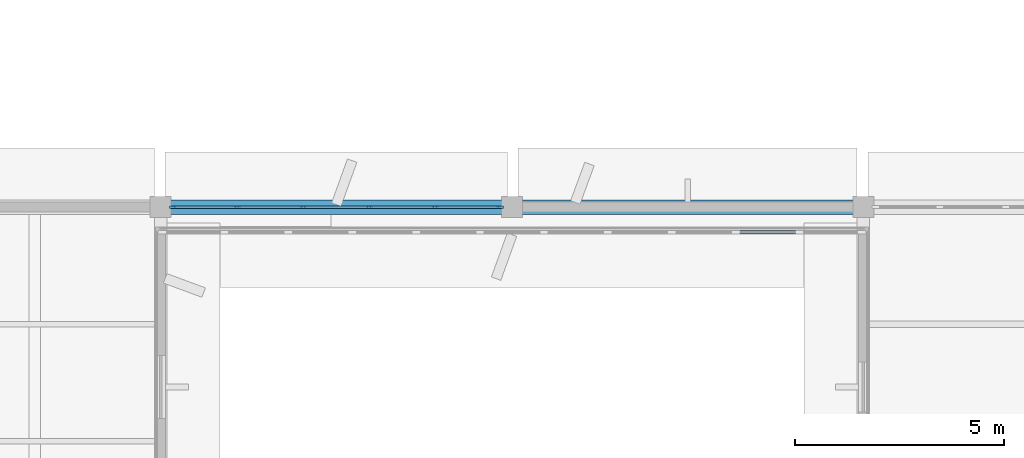
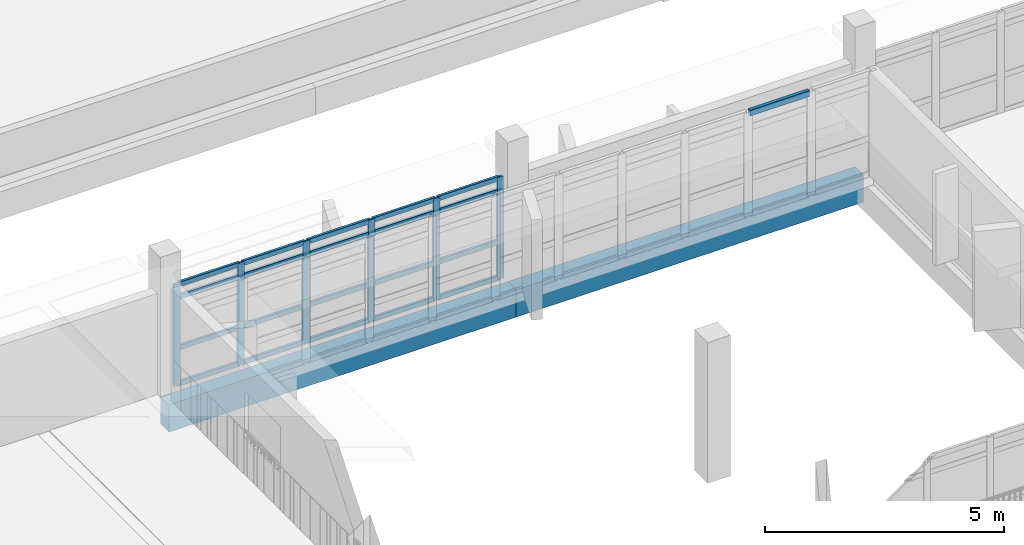
# One storey, part 31 of 92: 27 members, 2 beams, 2 elements without a shape of their own.
"""IFC4 building model written with IfcOpenShell, lengths in metres."""

from ifc_helpers import new_model, si_unit, direction, frame, origin, origin_2d, place, context, subcontext, project, spatial, rectangle, extrude, material, material_profile, profile_set, type_object, element, aggregate, save


model = new_model("IFC4")

# Units and contexts
model_context = context("Model", 3, precision=1e-05, world=origin(), true_north=direction((0.0, 1.0)))
body_context = subcontext(model_context, "Body", "Model", "MODEL_VIEW")
ifc_project = project(units=[si_unit("LENGTHUNIT", "METRE"), si_unit("AREAUNIT", "SQUARE_METRE"), si_unit("VOLUMEUNIT", "CUBIC_METRE"), si_unit("PLANEANGLEUNIT", "RADIAN"), si_unit("MASSUNIT", "GRAM", prefix="KILO")], contexts=[model_context])

# Site, building, storey
site_placement = place(None, origin())
site = spatial("IfcSite", under=ifc_project, at=site_placement, CompositionType="ELEMENT")
building_placement = place(site_placement, origin())
building = spatial("IfcBuilding", under=site, at=building_placement, Name="Vanh Quang Courtyard School", CompositionType="ELEMENT")
storey_placement = place(building_placement, frame((0.0, 0.0, 7.800048828125)))
storey = spatial("IfcBuildingStorey", under=building, at=storey_placement, Name="L02", CompositionType="ELEMENT", Elevation=7.800048828125)

# Beams
ifc_material_1 = material(Name="Concrete C35/45", Category="concrete")
ifc_material_profile_1 = material_profile(ifc_material_1, rectangle(XDim=0.35009765625, YDim=0.699951171875, at=origin_2d()), Name="RC-BM 350x700")
ifc_profile_set_1 = profile_set([ifc_material_profile_1], Name="Concrete C35/45")
beam_type = type_object("IfcBeamType", Name="BM-RC-350x700", PredefinedType="BEAM", material=ifc_profile_set_1)
beam_1_placement = place(storey_placement, frame((49.199951171875, 88.199951171875, -0.650146484375), z_axis=(1.0, 0.0, 0.0), x_axis=(0.0, 1.0, 0.0)))
element("IfcBeam", 1, at=beam_1_placement, inside=storey, type_object=beam_type, Name="Beam B-04 (L02)", PredefinedType="BEAM", context=body_context, shape_type="SweptSolid", body=[
    extrude(rectangle(XDim=0.35009765625, YDim=0.699951171875, at=origin_2d()), origin(), (0.0, 0.0, 1.0), 8.400146484375),
])
beam_2_placement = place(storey_placement, frame((57.60009765625, 88.199951171875, -0.650146484375), z_axis=(1.0, 0.0, 0.0), x_axis=(0.0, 1.0, 0.0)))
element("IfcBeam", 2, at=beam_2_placement, inside=storey, type_object=beam_type, Name="Beam B-04 (L02)", PredefinedType="BEAM", context=body_context, shape_type="SweptSolid", body=[
    extrude(rectangle(XDim=0.35009765625, YDim=0.699951171875, at=origin_2d()), origin(), (0.0, 0.0, 1.0), 8.39990234375),
])

# Curtain wall, members
ifc_material_2 = material(Name="Thermally broken aluminium unitised curtain wall", Category="aluminium")
curtain_wall_type_1 = type_object("IfcCurtainWallType", Name="CW-SYS-19", PredefinedType="NOTDEFINED", material=ifc_material_2)
curtain_wall_1_placement = place(storey_placement, origin())
curtain_wall_1 = element("IfcCurtainWall", 3, at=curtain_wall_1_placement, inside=storey, type_object=curtain_wall_type_1, Name="Curtain Wall CW-19 (L02)", PredefinedType="NOTDEFINED")
ifc_material_3 = material(Name="Anodised aluminium 6063-T6", Category="aluminium")
ifc_material_profile_2 = material_profile(ifc_material_3, rectangle(XDim=0.06005859375, YDim=0.159912109375, at=origin_2d()), Name="ALU-MUL 60x160")
ifc_profile_set_2 = profile_set([ifc_material_profile_2], Name="Anodised aluminium 6063-T6")
member_type_1 = type_object("IfcMemberType", Name="CW-MUL-60x160", PredefinedType="MULLION", material=ifc_profile_set_2)
member_1_placement = place(storey_placement, frame((49.488037109375, 88.199951171875, 0.0), z_axis=(0.0, 0.0, 1.0), x_axis=(0.0, 1.0, 0.0)))
member_1 = element("IfcMember", 4, at=member_1_placement, type_object=member_type_1, Name="CW-19 mullion 1", PredefinedType="MULLION", context=body_context, shape_type="SweptSolid", body=[
    extrude(rectangle(XDim=0.06005859375, YDim=0.159912109375, at=origin_2d()), origin(), (0.0, 0.0, 1.0), 2.599853515625),
])
member_2_placement = place(storey_placement, frame((51.034912109375, 88.199951171875, 0.0), z_axis=(0.0, 0.0, 1.0), x_axis=(0.0, 1.0, 0.0)))
member_2 = element("IfcMember", 5, at=member_2_placement, type_object=member_type_1, Name="CW-19 mullion 2", PredefinedType="MULLION", context=body_context, shape_type="SweptSolid", body=[
    extrude(rectangle(XDim=0.06005859375, YDim=0.159912109375, at=origin_2d()), origin(), (0.0, 0.0, 1.0), 2.599853515625),
])
member_3_placement = place(storey_placement, frame((52.611572265625, 88.199951171875, 0.0), z_axis=(0.0, 0.0, 1.0), x_axis=(0.0, 1.0, 0.0)))
member_3 = element("IfcMember", 6, at=member_3_placement, type_object=member_type_1, Name="CW-19 mullion 3", PredefinedType="MULLION", context=body_context, shape_type="SweptSolid", body=[
    extrude(rectangle(XDim=0.06005859375, YDim=0.159912109375, at=origin_2d()), origin(), (0.0, 0.0, 1.0), 2.599853515625),
])
member_4_placement = place(storey_placement, frame((54.1884765625, 88.199951171875, 0.0), z_axis=(0.0, 0.0, 1.0), x_axis=(0.0, 1.0, 0.0)))
member_4 = element("IfcMember", 7, at=member_4_placement, type_object=member_type_1, Name="CW-19 mullion 4", PredefinedType="MULLION", context=body_context, shape_type="SweptSolid", body=[
    extrude(rectangle(XDim=0.06005859375, YDim=0.159912109375, at=origin_2d()), origin(), (0.0, 0.0, 1.0), 2.599853515625),
])
member_5_placement = place(storey_placement, frame((55.76513671875, 88.199951171875, 0.0), z_axis=(0.0, 0.0, 1.0), x_axis=(0.0, 1.0, 0.0)))
member_5 = element("IfcMember", 8, at=member_5_placement, type_object=member_type_1, Name="CW-19 mullion 5", PredefinedType="MULLION", context=body_context, shape_type="SweptSolid", body=[
    extrude(rectangle(XDim=0.06005859375, YDim=0.159912109375, at=origin_2d()), origin(), (0.0, 0.0, 1.0), 2.599853515625),
])
member_6_placement = place(storey_placement, frame((57.31201171875, 88.199951171875, 0.0), z_axis=(0.0, 0.0, 1.0), x_axis=(0.0, 1.0, 0.0)))
member_6 = element("IfcMember", 9, at=member_6_placement, type_object=member_type_1, Name="CW-19 mullion 6", PredefinedType="MULLION", context=body_context, shape_type="SweptSolid", body=[
    extrude(rectangle(XDim=0.06005859375, YDim=0.159912109375, at=origin_2d()), origin(), (0.0, 0.0, 1.0), 2.599853515625),
])
ifc_material_profile_3 = material_profile(ifc_material_3, rectangle(XDim=0.06005859375, YDim=0.1201171875, at=origin_2d()), Name="ALU-TRN 60x120")
ifc_profile_set_3 = profile_set([ifc_material_profile_3], Name="Anodised aluminium 6063-T6")
member_type_2 = type_object("IfcMemberType", Name="CW-TRN-60x120", PredefinedType="USERDEFINED", material=ifc_profile_set_3)
member_7_placement = place(storey_placement, frame((49.51806640625, 88.199951171875, 0.030029296875), z_axis=(1.0, 0.0, 0.0), x_axis=(0.0, 1.0, 0.0)))
member_7 = element("IfcMember", 10, at=member_7_placement, type_object=member_type_2, Name="CW-19 transom 1.1", ObjectType="TRANSOM", PredefinedType="USERDEFINED", context=body_context, shape_type="SweptSolid", body=[
    extrude(rectangle(XDim=0.06005859375, YDim=0.1201171875, at=origin_2d()), origin(), (0.0, 0.0, 1.0), 1.48681640625),
])
member_8_placement = place(storey_placement, frame((49.51806640625, 88.199951171875, 0.949951171875), z_axis=(1.0, 0.0, 0.0), x_axis=(0.0, 1.0, 0.0)))
member_8 = element("IfcMember", 11, at=member_8_placement, type_object=member_type_2, Name="CW-19 transom 1.2", ObjectType="TRANSOM", PredefinedType="USERDEFINED", context=body_context, shape_type="SweptSolid", body=[
    extrude(rectangle(XDim=0.06005859375, YDim=0.1201171875, at=origin_2d()), origin(), (0.0, 0.0, 1.0), 1.48681640625),
])
member_9_placement = place(storey_placement, frame((49.51806640625, 88.199951171875, 2.25), z_axis=(1.0, 0.0, 0.0), x_axis=(0.0, 1.0, 0.0)))
member_9 = element("IfcMember", 12, at=member_9_placement, type_object=member_type_2, Name="CW-19 transom 1.3", ObjectType="TRANSOM", PredefinedType="USERDEFINED", context=body_context, shape_type="SweptSolid", body=[
    extrude(rectangle(XDim=0.06005859375, YDim=0.1201171875, at=origin_2d()), origin(), (0.0, 0.0, 1.0), 1.48681640625),
])
member_10_placement = place(storey_placement, frame((49.51806640625, 88.199951171875, 2.570068359375), z_axis=(1.0, 0.0, 0.0), x_axis=(0.0, 1.0, 0.0)))
member_10 = element("IfcMember", 13, at=member_10_placement, type_object=member_type_2, Name="CW-19 transom 1.4", ObjectType="TRANSOM", PredefinedType="USERDEFINED", context=body_context, shape_type="SweptSolid", body=[
    extrude(rectangle(XDim=0.06005859375, YDim=0.1201171875, at=origin_2d()), origin(), (0.0, 0.0, 1.0), 1.48681640625),
])
member_11_placement = place(storey_placement, frame((51.064697265625, 88.199951171875, 0.030029296875), z_axis=(1.0, 0.0, 0.0), x_axis=(0.0, 1.0, 0.0)))
member_11 = element("IfcMember", 14, at=member_11_placement, type_object=member_type_2, Name="CW-19 transom 2.1", ObjectType="TRANSOM", PredefinedType="USERDEFINED", context=body_context, shape_type="SweptSolid", body=[
    extrude(rectangle(XDim=0.06005859375, YDim=0.1201171875, at=origin_2d()), origin(), (0.0, 0.0, 1.0), 1.516845703125),
])
member_12_placement = place(storey_placement, frame((51.064697265625, 88.199951171875, 0.949951171875), z_axis=(1.0, 0.0, 0.0), x_axis=(0.0, 1.0, 0.0)))
member_12 = element("IfcMember", 15, at=member_12_placement, type_object=member_type_2, Name="CW-19 transom 2.2", ObjectType="TRANSOM", PredefinedType="USERDEFINED", context=body_context, shape_type="SweptSolid", body=[
    extrude(rectangle(XDim=0.06005859375, YDim=0.1201171875, at=origin_2d()), origin(), (0.0, 0.0, 1.0), 1.516845703125),
])
member_13_placement = place(storey_placement, frame((51.064697265625, 88.199951171875, 2.25), z_axis=(1.0, 0.0, 0.0), x_axis=(0.0, 1.0, 0.0)))
member_13 = element("IfcMember", 16, at=member_13_placement, type_object=member_type_2, Name="CW-19 transom 2.3", ObjectType="TRANSOM", PredefinedType="USERDEFINED", context=body_context, shape_type="SweptSolid", body=[
    extrude(rectangle(XDim=0.06005859375, YDim=0.1201171875, at=origin_2d()), origin(), (0.0, 0.0, 1.0), 1.516845703125),
])
member_14_placement = place(storey_placement, frame((51.064697265625, 88.199951171875, 2.570068359375), z_axis=(1.0, 0.0, 0.0), x_axis=(0.0, 1.0, 0.0)))
member_14 = element("IfcMember", 17, at=member_14_placement, type_object=member_type_2, Name="CW-19 transom 2.4", ObjectType="TRANSOM", PredefinedType="USERDEFINED", context=body_context, shape_type="SweptSolid", body=[
    extrude(rectangle(XDim=0.06005859375, YDim=0.1201171875, at=origin_2d()), origin(), (0.0, 0.0, 1.0), 1.516845703125),
])
member_15_placement = place(storey_placement, frame((52.6416015625, 88.199951171875, 0.030029296875), z_axis=(1.0, 0.0, 0.0), x_axis=(0.0, 1.0, 0.0)))
member_15 = element("IfcMember", 18, at=member_15_placement, type_object=member_type_2, Name="CW-19 transom 3.1", ObjectType="TRANSOM", PredefinedType="USERDEFINED", context=body_context, shape_type="SweptSolid", body=[
    extrude(rectangle(XDim=0.06005859375, YDim=0.1201171875, at=origin_2d()), origin(), (0.0, 0.0, 1.0), 1.516845703125),
])
member_16_placement = place(storey_placement, frame((52.6416015625, 88.199951171875, 0.949951171875), z_axis=(1.0, 0.0, 0.0), x_axis=(0.0, 1.0, 0.0)))
member_16 = element("IfcMember", 19, at=member_16_placement, type_object=member_type_2, Name="CW-19 transom 3.2", ObjectType="TRANSOM", PredefinedType="USERDEFINED", context=body_context, shape_type="SweptSolid", body=[
    extrude(rectangle(XDim=0.06005859375, YDim=0.1201171875, at=origin_2d()), origin(), (0.0, 0.0, 1.0), 1.516845703125),
])
member_17_placement = place(storey_placement, frame((52.6416015625, 88.199951171875, 2.25), z_axis=(1.0, 0.0, 0.0), x_axis=(0.0, 1.0, 0.0)))
member_17 = element("IfcMember", 20, at=member_17_placement, type_object=member_type_2, Name="CW-19 transom 3.3", ObjectType="TRANSOM", PredefinedType="USERDEFINED", context=body_context, shape_type="SweptSolid", body=[
    extrude(rectangle(XDim=0.06005859375, YDim=0.1201171875, at=origin_2d()), origin(), (0.0, 0.0, 1.0), 1.516845703125),
])
member_18_placement = place(storey_placement, frame((52.6416015625, 88.199951171875, 2.570068359375), z_axis=(1.0, 0.0, 0.0), x_axis=(0.0, 1.0, 0.0)))
member_18 = element("IfcMember", 21, at=member_18_placement, type_object=member_type_2, Name="CW-19 transom 3.4", ObjectType="TRANSOM", PredefinedType="USERDEFINED", context=body_context, shape_type="SweptSolid", body=[
    extrude(rectangle(XDim=0.06005859375, YDim=0.1201171875, at=origin_2d()), origin(), (0.0, 0.0, 1.0), 1.516845703125),
])
member_19_placement = place(storey_placement, frame((54.218505859375, 88.199951171875, 0.030029296875), z_axis=(1.0, 0.0, 0.0), x_axis=(0.0, 1.0, 0.0)))
member_19 = element("IfcMember", 22, at=member_19_placement, type_object=member_type_2, Name="CW-19 transom 4.1", ObjectType="TRANSOM", PredefinedType="USERDEFINED", context=body_context, shape_type="SweptSolid", body=[
    extrude(rectangle(XDim=0.06005859375, YDim=0.1201171875, at=origin_2d()), origin(), (0.0, 0.0, 1.0), 1.5166015625),
])
member_20_placement = place(storey_placement, frame((54.218505859375, 88.199951171875, 0.949951171875), z_axis=(1.0, 0.0, 0.0), x_axis=(0.0, 1.0, 0.0)))
member_20 = element("IfcMember", 23, at=member_20_placement, type_object=member_type_2, Name="CW-19 transom 4.2", ObjectType="TRANSOM", PredefinedType="USERDEFINED", context=body_context, shape_type="SweptSolid", body=[
    extrude(rectangle(XDim=0.06005859375, YDim=0.1201171875, at=origin_2d()), origin(), (0.0, 0.0, 1.0), 1.5166015625),
])
member_21_placement = place(storey_placement, frame((54.218505859375, 88.199951171875, 2.25), z_axis=(1.0, 0.0, 0.0), x_axis=(0.0, 1.0, 0.0)))
member_21 = element("IfcMember", 24, at=member_21_placement, type_object=member_type_2, Name="CW-19 transom 4.3", ObjectType="TRANSOM", PredefinedType="USERDEFINED", context=body_context, shape_type="SweptSolid", body=[
    extrude(rectangle(XDim=0.06005859375, YDim=0.1201171875, at=origin_2d()), origin(), (0.0, 0.0, 1.0), 1.5166015625),
])
member_22_placement = place(storey_placement, frame((54.218505859375, 88.199951171875, 2.570068359375), z_axis=(1.0, 0.0, 0.0), x_axis=(0.0, 1.0, 0.0)))
member_22 = element("IfcMember", 25, at=member_22_placement, type_object=member_type_2, Name="CW-19 transom 4.4", ObjectType="TRANSOM", PredefinedType="USERDEFINED", context=body_context, shape_type="SweptSolid", body=[
    extrude(rectangle(XDim=0.06005859375, YDim=0.1201171875, at=origin_2d()), origin(), (0.0, 0.0, 1.0), 1.5166015625),
])
member_23_placement = place(storey_placement, frame((55.795166015625, 88.199951171875, 0.030029296875), z_axis=(1.0, 0.0, 0.0), x_axis=(0.0, 1.0, 0.0)))
member_23 = element("IfcMember", 26, at=member_23_placement, type_object=member_type_2, Name="CW-19 transom 5.1", ObjectType="TRANSOM", PredefinedType="USERDEFINED", context=body_context, shape_type="SweptSolid", body=[
    extrude(rectangle(XDim=0.06005859375, YDim=0.1201171875, at=origin_2d()), origin(), (0.0, 0.0, 1.0), 1.48681640625),
])
member_24_placement = place(storey_placement, frame((55.795166015625, 88.199951171875, 0.949951171875), z_axis=(1.0, 0.0, 0.0), x_axis=(0.0, 1.0, 0.0)))
member_24 = element("IfcMember", 27, at=member_24_placement, type_object=member_type_2, Name="CW-19 transom 5.2", ObjectType="TRANSOM", PredefinedType="USERDEFINED", context=body_context, shape_type="SweptSolid", body=[
    extrude(rectangle(XDim=0.06005859375, YDim=0.1201171875, at=origin_2d()), origin(), (0.0, 0.0, 1.0), 1.48681640625),
])
member_25_placement = place(storey_placement, frame((55.795166015625, 88.199951171875, 2.25), z_axis=(1.0, 0.0, 0.0), x_axis=(0.0, 1.0, 0.0)))
member_25 = element("IfcMember", 28, at=member_25_placement, type_object=member_type_2, Name="CW-19 transom 5.3", ObjectType="TRANSOM", PredefinedType="USERDEFINED", context=body_context, shape_type="SweptSolid", body=[
    extrude(rectangle(XDim=0.06005859375, YDim=0.1201171875, at=origin_2d()), origin(), (0.0, 0.0, 1.0), 1.48681640625),
])
member_26_placement = place(storey_placement, frame((55.795166015625, 88.199951171875, 2.570068359375), z_axis=(1.0, 0.0, 0.0), x_axis=(0.0, 1.0, 0.0)))
member_26 = element("IfcMember", 29, at=member_26_placement, type_object=member_type_2, Name="CW-19 transom 5.4", ObjectType="TRANSOM", PredefinedType="USERDEFINED", context=body_context, shape_type="SweptSolid", body=[
    extrude(rectangle(XDim=0.06005859375, YDim=0.1201171875, at=origin_2d()), origin(), (0.0, 0.0, 1.0), 1.48681640625),
])
aggregate(curtain_wall_1, [member_1, member_2, member_3, member_4, member_5, member_6, member_7, member_8, member_9, member_10, member_11, member_12, member_13, member_14, member_15, member_16, member_17, member_18, member_19, member_20, member_21, member_22, member_23, member_24, member_25, member_26])

# Curtain wall, member
curtain_wall_type_2 = type_object("IfcCurtainWallType", Name="CW-SYS-54", PredefinedType="NOTDEFINED", material=ifc_material_2)
curtain_wall_2_placement = place(storey_placement, origin())
curtain_wall_2 = element("IfcCurtainWall", 30, at=curtain_wall_2_placement, inside=storey, type_object=curtain_wall_type_2, Name="Curtain Wall CW-54 (L02)", PredefinedType="NOTDEFINED")
ifc_material_profile_4 = material_profile(ifc_material_3, rectangle(XDim=0.080078125, YDim=0.14990234375, at=origin_2d()), Name="ALU-TRN 80x150")
ifc_profile_set_4 = profile_set([ifc_material_profile_4], Name="Anodised aluminium 6063-T6")
member_type_3 = type_object("IfcMemberType", Name="CW-TRN-80x150", PredefinedType="USERDEFINED", material=ifc_profile_set_4)
member_27_placement = place(storey_placement, frame((64.4326171875, 87.60009765625, 2.60986328125), z_axis=(-1.0, 0.0, 0.0), x_axis=(0.0, -1.0, 0.0)))
member_27 = element("IfcMember", 31, at=member_27_placement, type_object=member_type_3, Name="CW-54 transom 2.4", ObjectType="TRANSOM", PredefinedType="USERDEFINED", context=body_context, shape_type="SweptSolid", body=[
    extrude(rectangle(XDim=0.080078125, YDim=0.14990234375, at=origin_2d()), origin(), (0.0, 0.0, 1.0), 1.447265625),
])
aggregate(curtain_wall_2, [member_27])

save(model, "model.ifc")
